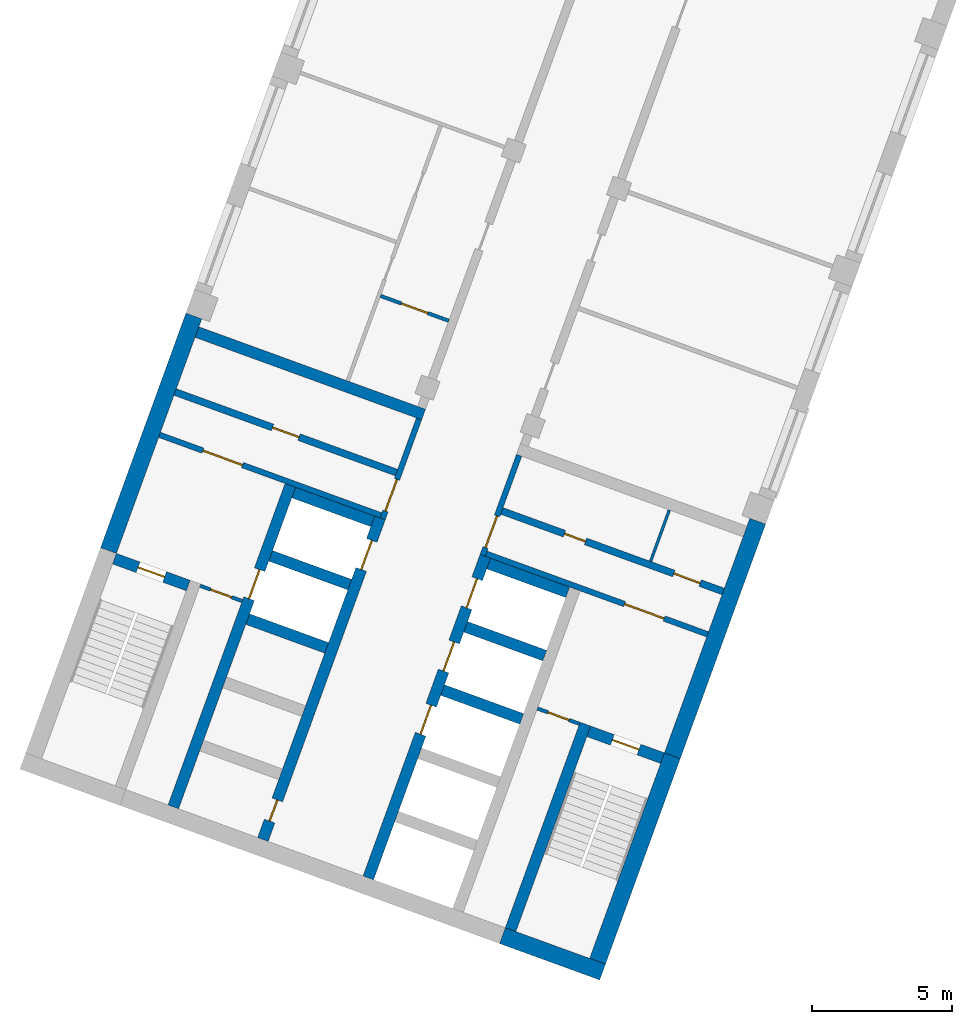
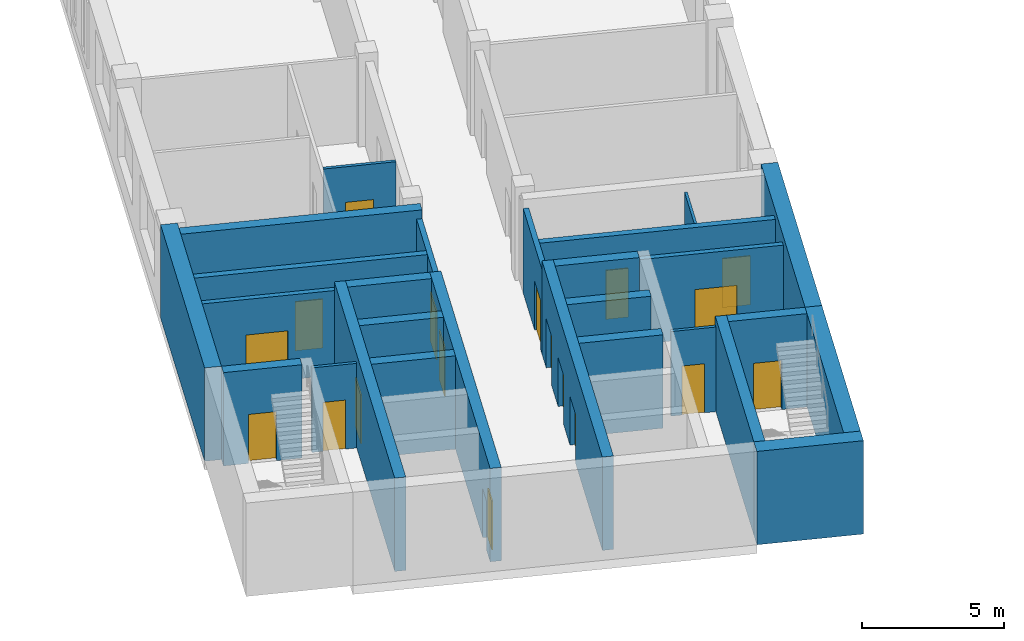
# One storey, part 2 of 12: 27 walls, 18 doors, 18 openings.
"""IFC4 building model written with IfcOpenShell, lengths in metres."""

from ifc_helpers import new_model, si_unit, direction, frame, frame_2d, origin, place, context, subcontext, project, spatial, rectangle, extrude, material, layer, layer_set, type_object, element, fill, save


model = new_model("IFC4")

# Units and contexts
model_context = context("Model", 3, precision=1e-05, world=origin(), true_north=direction((0.0, 1.0)))
body_context = subcontext(model_context, "Body", "Model", "MODEL_VIEW")
ifc_project = project(units=[si_unit("LENGTHUNIT", "METRE"), si_unit("AREAUNIT", "SQUARE_METRE"), si_unit("VOLUMEUNIT", "CUBIC_METRE"), si_unit("PLANEANGLEUNIT", "RADIAN"), si_unit("MASSUNIT", "GRAM", prefix="KILO")], contexts=[model_context])

# Site, building, storey
site_placement = place(None, origin())
site = spatial("IfcSite", under=ifc_project, at=site_placement, CompositionType="ELEMENT")
building_placement = place(site_placement, origin())
building = spatial("IfcBuilding", under=site, at=building_placement, Name="Skarvind Civic Tower", CompositionType="ELEMENT")
storey_placement = place(building_placement, frame((0.0, 0.0, 59.5)))
storey = spatial("IfcBuildingStorey", under=building, at=storey_placement, Name="L13", CompositionType="ELEMENT", Elevation=59.5)

# Wall, opening, door
ifc_material_1 = material(Name="Fire-rated masonry partition", Category="masonry")
ifc_layer_1 = layer(ifc_material_1, 0.199951171875)
ifc_layer_set_1 = layer_set([ifc_layer_1], Name="Core enclosure wall 200")
wall_type_1 = type_object("IfcWallType", Name="Core enclosure wall 200", PredefinedType="PARTITIONING", material=ifc_layer_set_1)
wall_1_placement = place(storey_placement, frame((31.491455078125, 93.693359375, 0.0), z_axis=(0.0, 0.0, 1.0), x_axis=(0.341995824804, 0.939701471648, 0.0)))
wall_1 = element("IfcWall", 1, at=wall_1_placement, inside=storey, type_object=wall_type_1, Name="Core wall C2", PredefinedType="PARTITIONING", context=body_context, shape_type="SweptSolid", body=[
    extrude(rectangle(XDim=3.800048828125, YDim=0.199951171875, at=frame_2d((1.89990234375, 0.0))), origin(), (0.0, 0.0, 1.0), 3.625),
])
opening_1_placement = place(wall_1_placement, frame((0.300048828125, 0.0, 0.0)))
opening_1 = element("IfcOpeningElement", 2, at=opening_1_placement, cuts=wall_1, Name="Opening D-L13-C2-06", PredefinedType="OPENING", context=body_context, shape_type="SweptSolid", body=[
    extrude(rectangle(XDim=1.199951171875, YDim=2.10009765625, at=frame_2d((0.60009765625, 1.050048828125))), frame((0.0, 0.10986328125, 0.0), z_axis=(0.0, -1.0, 0.0), x_axis=(1.0, 0.0, 0.0)), (0.0, 0.0, 1.0), 0.219970703125),
])
ifc_material_2 = material(Name="Fire-rated steel door", Category="steel")
door_type_1 = type_object("IfcDoorType", Name="Core lobby door 1200", OperationType="NOTDEFINED", PredefinedType="DOOR", material=ifc_material_2)
door_1_placement = place(opening_1_placement, origin())
door_1 = element("IfcDoor", 3, at=door_1_placement, inside=storey, type_object=door_type_1, Name="Fire door", OperationType="DOUBLE_DOOR_SINGLE_SWING", OverallHeight=2.10009765625, OverallWidth=1.199951171875, PredefinedType="DOOR", context=body_context, shape_type="SweptSolid", body=[
    extrude(rectangle(XDim=1.199951171875, YDim=2.10009765625, at=frame_2d((0.60009765625, 1.050048828125))), frame((0.0, 0.02490234375, 0.0), z_axis=(0.0, -1.0, 0.0), x_axis=(1.0, 0.0, 0.0)), (0.0, 0.0, 1.0), 0.050048828125),
])
fill(opening_1, door_1)

wall_2_placement = place(storey_placement, frame((23.5380859375, 96.6943359375, 0.0), z_axis=(0.0, 0.0, 1.0), x_axis=(0.939691552312, -0.342023078919, 0.0)))
wall_2 = element("IfcWall", 4, at=wall_2_placement, inside=storey, type_object=wall_type_1, Name="Core wall C2", PredefinedType="PARTITIONING", context=body_context, shape_type="SweptSolid", body=[
    extrude(rectangle(XDim=8.400146484375, YDim=0.199951171875, at=frame_2d((4.2001953125, 0.0))), origin(), (0.0, 0.0, 1.0), 3.625),
])
opening_2_placement = place(wall_2_placement, frame((1.64990234375, 0.0, 0.0)))
opening_2 = element("IfcOpeningElement", 5, at=opening_2_placement, cuts=wall_2, Name="Opening D-L13-C2-07", PredefinedType="OPENING", context=body_context, shape_type="SweptSolid", body=[
    extrude(rectangle(XDim=1.5, YDim=2.10009765625, at=frame_2d((0.75, 1.050048828125))), frame((0.0, 0.10986328125, 0.0), z_axis=(0.0, -1.0, 0.0), x_axis=(1.0, 0.0, 0.0)), (0.0, 0.0, 1.0), 0.219970703125),
])
door_type_2 = type_object("IfcDoorType", Name="Fire door 1500", OperationType="NOTDEFINED", PredefinedType="DOOR", material=ifc_material_2)
door_2_placement = place(opening_2_placement, origin())
door_2 = element("IfcDoor", 6, at=door_2_placement, inside=storey, type_object=door_type_2, Name="Fire door", OperationType="DOUBLE_DOOR_SINGLE_SWING", OverallHeight=2.10009765625, OverallWidth=1.5, PredefinedType="DOOR", context=body_context, shape_type="SweptSolid", body=[
    extrude(rectangle(XDim=1.5, YDim=2.10009765625, at=frame_2d((0.75, 1.050048828125))), frame((0.0, 0.02490234375, 0.0), z_axis=(0.0, -1.0, 0.0), x_axis=(1.0, 0.0, 0.0)), (0.0, 0.0, 1.0), 0.050048828125),
])
fill(opening_2, door_2)

wall_3_placement = place(storey_placement, frame((36.36181640625, 95.96435546875, 0.0), z_axis=(0.0, 0.0, 1.0), x_axis=(-0.341995824804, -0.939701471648, 0.0)))
wall_3 = element("IfcWall", 7, at=wall_3_placement, inside=storey, type_object=wall_type_1, Name="Core wall C2", PredefinedType="PARTITIONING", context=body_context, shape_type="SweptSolid", body=[
    extrude(rectangle(XDim=3.800048828125, YDim=0.199951171875, at=frame_2d((1.89990234375, 0.0))), origin(), (0.0, 0.0, 1.0), 3.625),
])
opening_3_placement = place(wall_3_placement, frame((2.300048828125, 0.0, 0.0)))
opening_3 = element("IfcOpeningElement", 8, at=opening_3_placement, cuts=wall_3, Name="Opening D-L13-C2-11", PredefinedType="OPENING", context=body_context, shape_type="SweptSolid", body=[
    extrude(rectangle(XDim=1.199951171875, YDim=2.10009765625, at=frame_2d((0.60009765625, 1.050048828125))), frame((0.0, 0.10986328125, 0.0), z_axis=(0.0, -1.0, 0.0), x_axis=(1.0, 0.0, 0.0)), (0.0, 0.0, 1.0), 0.219970703125),
])
door_3_placement = place(opening_3_placement, origin())
door_3 = element("IfcDoor", 9, at=door_3_placement, inside=storey, type_object=door_type_1, Name="Fire door", OperationType="DOUBLE_DOOR_SINGLE_SWING", OverallHeight=2.10009765625, OverallWidth=1.199951171875, PredefinedType="DOOR", context=body_context, shape_type="SweptSolid", body=[
    extrude(rectangle(XDim=1.199951171875, YDim=2.10009765625, at=frame_2d((0.60009765625, 1.050048828125))), frame((0.0, 0.02490234375, 0.0), z_axis=(0.0, -1.0, 0.0), x_axis=(1.0, 0.0, 0.0)), (0.0, 0.0, 1.0), 0.050048828125),
])
fill(opening_3, door_3)

wall_4_placement = place(storey_placement, frame((35.1904296875, 92.453369140625, 0.0), z_axis=(0.0, 0.0, 1.0), x_axis=(0.939691552312, -0.342023078919, 0.0)))
wall_4 = element("IfcWall", 10, at=wall_4_placement, inside=storey, type_object=wall_type_1, Name="Core wall C2", PredefinedType="PARTITIONING", context=body_context, shape_type="SweptSolid", body=[
    extrude(rectangle(XDim=8.400146484375, YDim=0.199951171875, at=frame_2d((4.2001953125, 0.0))), origin(), (0.0, 0.0, 1.0), 3.625),
])
opening_4_placement = place(wall_4_placement, frame((5.25, 0.0, 0.0)))
opening_4 = element("IfcOpeningElement", 11, at=opening_4_placement, cuts=wall_4, Name="Opening D-L13-C2-12", PredefinedType="OPENING", context=body_context, shape_type="SweptSolid", body=[
    extrude(rectangle(XDim=1.5, YDim=2.10009765625, at=frame_2d((0.75, 1.050048828125))), frame((0.0, 0.10986328125, 0.0), z_axis=(0.0, -1.0, 0.0), x_axis=(1.0, 0.0, 0.0)), (0.0, 0.0, 1.0), 0.219970703125),
])
door_4_placement = place(opening_4_placement, origin())
door_4 = element("IfcDoor", 12, at=door_4_placement, inside=storey, type_object=door_type_2, Name="Fire door", OperationType="DOUBLE_DOOR_SINGLE_SWING", OverallHeight=2.10009765625, OverallWidth=1.5, PredefinedType="DOOR", context=body_context, shape_type="SweptSolid", body=[
    extrude(rectangle(XDim=1.5, YDim=2.10009765625, at=frame_2d((0.75, 1.050048828125))), frame((0.0, 0.02490234375, 0.0), z_axis=(0.0, -1.0, 0.0), x_axis=(1.0, 0.0, 0.0)), (0.0, 0.0, 1.0), 0.050048828125),
])
fill(opening_4, door_4)

# Walls
ifc_material_3 = material(Name="Fire-rated plasterboard partition")
ifc_layer_2 = layer(ifc_material_3, 0.10009765625)
ifc_layer_set_2 = layer_set([ifc_layer_2], Name="Core partition wall 100")
wall_type_2 = type_object("IfcWallType", Name="Core partition wall 100", PredefinedType="PARTITIONING", material=ifc_layer_set_2)
wall_5_placement = place(storey_placement, frame((41.71826171875, 94.014892578125, 0.0), z_axis=(0.0, 0.0, 1.0), x_axis=(-0.342064742067, -0.939676386973, 0.0)))
element("IfcWall", 13, at=wall_5_placement, inside=storey, type_object=wall_type_2, Name="Core wall C2", PredefinedType="PARTITIONING", context=body_context, shape_type="SweptSolid", body=[
    extrude(rectangle(XDim=1.949951171875, YDim=0.10009765625, at=frame_2d((0.97509765625, 0.0))), origin(), (0.0, 0.0, 1.0), 3.625),
])
ifc_material_4 = material(Name="Concrete C80", Category="concrete")
ifc_layer_3 = layer(ifc_material_4, 0.39990234375)
ifc_layer_set_3 = layer_set([ifc_layer_3], Name="Core wall 400 C80")
wall_type_3 = type_object("IfcWallType", Name="Core wall 400 C80", PredefinedType="SHEAR", material=ifc_layer_set_3)
wall_6_placement = place(storey_placement, frame((36.057861328125, 79.04833984375, 0.0), z_axis=(0.0, 0.0, 1.0), x_axis=(0.342016982193, 0.939693771338, 0.0)))
element("IfcWall", 14, at=wall_6_placement, inside=storey, type_object=wall_type_3, Name="Core wall C2 south stair inner L13", PredefinedType="SHEAR", context=body_context, shape_type="SweptSolid", body=[
    extrude(rectangle(XDim=7.800048828125, YDim=0.39990234375, at=frame_2d((3.89990234375, 0.0))), origin(), (0.0, 0.0, 1.0), 4.0),
])

# Wall, opening, door
wall_7_placement = place(storey_placement, frame((41.476318359375, 85.163818359375, 0.0), z_axis=(0.0, 0.0, 1.0), x_axis=(-0.939678810556, 0.342058084236, 0.0)))
wall_7 = element("IfcWall", 15, at=wall_7_placement, inside=storey, type_object=wall_type_3, Name="Core wall C2 south stair end L13", PredefinedType="SHEAR", context=body_context, shape_type="SweptSolid", body=[
    extrude(rectangle(XDim=2.800048828125, YDim=0.39990234375, at=frame_2d((1.39990234375, 0.0))), origin(), (0.0, 0.0, 1.0), 4.0),
])
opening_5_placement = place(wall_7_placement, frame((0.89990234375, 0.0, 0.0)))
opening_5 = element("IfcOpeningElement", 16, at=opening_5_placement, cuts=wall_7, Name="Opening D-L13-C2-13", PredefinedType="OPENING", context=body_context, shape_type="SweptSolid", body=[
    extrude(rectangle(XDim=1.0, YDim=2.10009765625, at=frame_2d((0.5, 1.050048828125))), frame((0.0, 0.2099609375, 0.0), z_axis=(0.0, -1.0, 0.0), x_axis=(1.0, 0.0, 0.0)), (0.0, 0.0, 1.0), 0.419921875),
])
door_type_3 = type_object("IfcDoorType", Name="Fire door 1000", OperationType="NOTDEFINED", PredefinedType="DOOR", material=ifc_material_2)
door_5_placement = place(opening_5_placement, origin())
door_5 = element("IfcDoor", 17, at=door_5_placement, inside=storey, type_object=door_type_3, Name="Fire door", OperationType="SINGLE_SWING_RIGHT", OverallHeight=2.10009765625, OverallWidth=1.0, PredefinedType="DOOR", context=body_context, shape_type="SweptSolid", body=[
    extrude(rectangle(XDim=1.0, YDim=2.10009765625, at=frame_2d((0.5, 1.050048828125))), frame((0.0, 0.02490234375, 0.0), z_axis=(0.0, -1.0, 0.0), x_axis=(1.0, 0.0, 0.0)), (0.0, 0.0, 1.0), 0.050048828125),
])
fill(opening_5, door_5)

wall_8_placement = place(storey_placement, frame((24.56201171875, 91.3203125, 0.0), z_axis=(0.0, 0.0, 1.0), x_axis=(-0.939717030584, 0.341953070509, 0.0)))
wall_8 = element("IfcWall", 18, at=wall_8_placement, inside=storey, type_object=wall_type_3, Name="Core wall C2 north stair end L13", PredefinedType="SHEAR", context=body_context, shape_type="SweptSolid", body=[
    extrude(rectangle(XDim=2.800048828125, YDim=0.39990234375, at=frame_2d((1.39990234375, 0.0))), origin(), (0.0, 0.0, 1.0), 4.0),
])
opening_6_placement = place(wall_8_placement, frame((0.89990234375, 0.0, 0.0)))
opening_6 = element("IfcOpeningElement", 19, at=opening_6_placement, cuts=wall_8, Name="Opening D-L13-C2-08", PredefinedType="OPENING", context=body_context, shape_type="SweptSolid", body=[
    extrude(rectangle(XDim=1.0, YDim=2.10009765625, at=frame_2d((0.5, 1.050048828125))), frame((0.0, 0.2099609375, 0.0), z_axis=(0.0, -1.0, 0.0), x_axis=(1.0, 0.0, 0.0)), (0.0, 0.0, 1.0), 0.419921875),
])
door_6_placement = place(opening_6_placement, origin())
door_6 = element("IfcDoor", 20, at=door_6_placement, inside=storey, type_object=door_type_3, Name="Fire door", OperationType="SINGLE_SWING_LEFT", OverallHeight=2.10009765625, OverallWidth=1.0, PredefinedType="DOOR", context=body_context, shape_type="SweptSolid", body=[
    extrude(rectangle(XDim=1.0, YDim=2.10009765625, at=frame_2d((0.5, 1.050048828125))), frame((0.0, 0.02490234375, 0.0), z_axis=(0.0, -1.0, 0.0), x_axis=(1.0, 0.0, 0.0)), (0.0, 0.0, 1.0), 0.050048828125),
])
fill(opening_6, door_6)

# Wall, openings, doors
wall_9_placement = place(storey_placement, frame((30.983642578125, 80.895263671875, 0.0), z_axis=(0.0, 0.0, 1.0), x_axis=(0.342021021735, 0.939692301071, 0.0)))
wall_9 = element("IfcWall", 21, at=wall_9_placement, inside=storey, type_object=wall_type_3, Name="Core wall C2 south lift row front L13", PredefinedType="SHEAR", context=body_context, shape_type="SweptSolid", body=[
    extrude(rectangle(XDim=12.199951171875, YDim=0.39990234375, at=frame_2d((6.10009765625, 0.0))), origin(), (0.0, 0.0, 1.0), 4.0),
])
opening_7_placement = place(wall_9_placement, frame((5.449951171875, 0.0, 0.0)))
opening_7 = element("IfcOpeningElement", 22, at=opening_7_placement, cuts=wall_9, Name="Opening LD15208", PredefinedType="OPENING", context=body_context, shape_type="SweptSolid", body=[
    extrude(rectangle(XDim=1.10009765625, YDim=2.10009765625, at=frame_2d((0.550048828125, 1.050048828125))), frame((0.0, 0.2099609375, 0.0), z_axis=(0.0, -1.0, 0.0), x_axis=(1.0, 0.0, 0.0)), (0.0, 0.0, 1.0), 0.419921875),
])
opening_8_placement = place(wall_9_placement, frame((7.85009765625, 0.0, 0.0)))
opening_8 = element("IfcOpeningElement", 23, at=opening_8_placement, cuts=wall_9, Name="Opening LD15209", PredefinedType="OPENING", context=body_context, shape_type="SweptSolid", body=[
    extrude(rectangle(XDim=1.10009765625, YDim=2.10009765625, at=frame_2d((0.550048828125, 1.050048828125))), frame((0.0, 0.2099609375, 0.0), z_axis=(0.0, -1.0, 0.0), x_axis=(1.0, 0.0, 0.0)), (0.0, 0.0, 1.0), 0.419921875),
])
opening_9_placement = place(wall_9_placement, frame((10.25, 0.0, 0.0)))
opening_9 = element("IfcOpeningElement", 24, at=opening_9_placement, cuts=wall_9, Name="Opening LD15210", PredefinedType="OPENING", context=body_context, shape_type="SweptSolid", body=[
    extrude(rectangle(XDim=1.10009765625, YDim=2.10009765625, at=frame_2d((0.550048828125, 1.050048828125))), frame((0.0, 0.2099609375, 0.0), z_axis=(0.0, -1.0, 0.0), x_axis=(1.0, 0.0, 0.0)), (0.0, 0.0, 1.0), 0.419921875),
])
ifc_material_5 = material(Name="Stainless steel landing door", Category="steel")
door_type_4 = type_object("IfcDoorType", Name="Lift landing door 1100", OperationType="DOUBLE_DOOR_SLIDING", PredefinedType="DOOR", material=ifc_material_5)
door_7_placement = place(opening_7_placement, origin())
door_7 = element("IfcDoor", 25, at=door_7_placement, inside=storey, type_object=door_type_4, Name="Lift landing door", OperationType="DOUBLE_DOOR_SLIDING", OverallHeight=2.10009765625, OverallWidth=1.10009765625, PredefinedType="DOOR", context=body_context, shape_type="SweptSolid", body=[
    extrude(rectangle(XDim=1.10009765625, YDim=2.10009765625, at=frame_2d((0.550048828125, 1.050048828125))), frame((0.0, 0.02490234375, 0.0), z_axis=(0.0, -1.0, 0.0), x_axis=(1.0, 0.0, 0.0)), (0.0, 0.0, 1.0), 0.050048828125),
])
fill(opening_7, door_7)
door_8_placement = place(opening_8_placement, origin())
door_8 = element("IfcDoor", 26, at=door_8_placement, inside=storey, type_object=door_type_4, Name="Lift landing door", OperationType="DOUBLE_DOOR_SLIDING", OverallHeight=2.10009765625, OverallWidth=1.10009765625, PredefinedType="DOOR", context=body_context, shape_type="SweptSolid", body=[
    extrude(rectangle(XDim=1.10009765625, YDim=2.10009765625, at=frame_2d((0.550048828125, 1.050048828125))), frame((0.0, 0.02490234375, 0.0), z_axis=(0.0, -1.0, 0.0), x_axis=(1.0, 0.0, 0.0)), (0.0, 0.0, 1.0), 0.050048828125),
])
fill(opening_8, door_8)
door_9_placement = place(opening_9_placement, origin())
door_9 = element("IfcDoor", 27, at=door_9_placement, inside=storey, type_object=door_type_4, Name="Lift landing door", OperationType="DOUBLE_DOOR_SLIDING", OverallHeight=2.10009765625, OverallWidth=1.10009765625, PredefinedType="DOOR", context=body_context, shape_type="SweptSolid", body=[
    extrude(rectangle(XDim=1.10009765625, YDim=2.10009765625, at=frame_2d((0.550048828125, 1.050048828125))), frame((0.0, 0.02490234375, 0.0), z_axis=(0.0, -1.0, 0.0), x_axis=(1.0, 0.0, 0.0)), (0.0, 0.0, 1.0), 0.050048828125),
])
fill(opening_9, door_9)

# Walls
for number, where, z_axis, x_axis, name in (
    (28, (36.453125, 86.56640625, 0.0), (0.0, 0.0, 1.0), (-0.939686455819, 0.342037080957, 0.0), "Core wall C2 south lift row division 3 L13"),
    (29, (37.27392578125, 88.82177734375, 0.0), (0.0, 0.0, 1.0), (-0.939686455819, 0.342037080957, 0.0), "Core wall C2 south lift row division 4 L13"),
):
    element("IfcWall", number, at=place(storey_placement, frame(where, z_axis=z_axis, x_axis=x_axis)), inside=storey, type_object=wall_type_3, Name=name, PredefinedType="SHEAR", context=body_context, shape_type="SweptSolid", body=[
        extrude(rectangle(XDim=3.0, YDim=0.39990234375, at=frame_2d((1.5, 0.0))), origin(), (0.0, 0.0, 1.0), 4.0),
    ])
wall_10_placement = place(storey_placement, frame((38.0947265625, 91.076904296875, 0.0), z_axis=(0.0, 0.0, 1.0), x_axis=(-0.939676934218, 0.342063238742, 0.0)))
element("IfcWall", 30, at=wall_10_placement, inside=storey, type_object=wall_type_3, Name="Core wall C2 south lift row division 5 L13", PredefinedType="SHEAR", context=body_context, shape_type="SweptSolid", body=[
    extrude(rectangle(XDim=2.999755859375, YDim=0.39990234375, at=frame_2d((1.5, 0.0))), origin(), (0.0, 0.0, 1.0), 4.0),
])

# Wall, openings, doors
wall_11_placement = place(storey_placement, frame((27.224853515625, 82.26318359375, 0.0), z_axis=(0.0, 0.0, 1.0), x_axis=(0.342014590177, 0.939694641948, 0.0)))
wall_11 = element("IfcWall", 31, at=wall_11_placement, inside=storey, type_object=wall_type_3, Name="Core wall C2 north lift row front L13", PredefinedType="SHEAR", context=body_context, shape_type="SweptSolid", body=[
    extrude(rectangle(XDim=12.2001953125, YDim=0.39990234375, at=frame_2d((6.10009765625, 0.0))), origin(), (0.0, 0.0, 1.0), 4.0),
])
opening_10_placement = place(wall_11_placement, frame((10.25, 0.0, 0.0)))
opening_10 = element("IfcOpeningElement", 32, at=opening_10_placement, cuts=wall_11, Name="Opening LD15205", PredefinedType="OPENING", context=body_context, shape_type="SweptSolid", body=[
    extrude(rectangle(XDim=1.10009765625, YDim=2.10009765625, at=frame_2d((0.550048828125, 1.050048828125))), frame((0.0, 0.2099609375, 0.0), z_axis=(0.0, -1.0, 0.0), x_axis=(1.0, 0.0, 0.0)), (0.0, 0.0, 1.0), 0.419921875),
])
opening_11_placement = place(wall_11_placement, frame((0.699951171875, 0.0, 0.0)))
opening_11 = element("IfcOpeningElement", 33, at=opening_11_placement, cuts=wall_11, Name="Opening D-L13-C2-05", PredefinedType="OPENING", context=body_context, shape_type="SweptSolid", body=[
    extrude(rectangle(XDim=0.800048828125, YDim=2.10009765625, at=frame_2d((0.39990234375, 1.050048828125))), frame((0.0, 0.2099609375, 0.0), z_axis=(0.0, -1.0, 0.0), x_axis=(1.0, 0.0, 0.0)), (0.0, 0.0, 1.0), 0.419921875),
])
door_type_5 = type_object("IfcDoorType", Name="Core riser door 800", OperationType="NOTDEFINED", PredefinedType="DOOR", material=ifc_material_2)
door_10_placement = place(opening_11_placement, origin())
door_10 = element("IfcDoor", 34, at=door_10_placement, inside=storey, type_object=door_type_5, Name="Riser door", OperationType="SINGLE_SWING_LEFT", OverallHeight=2.10009765625, OverallWidth=0.800048828125, PredefinedType="DOOR", context=body_context, shape_type="SweptSolid", body=[
    extrude(rectangle(XDim=0.800048828125, YDim=2.10009765625, at=frame_2d((0.39990234375, 1.050048828125))), frame((0.0, 0.02490234375, 0.0), z_axis=(0.0, -1.0, 0.0), x_axis=(1.0, 0.0, 0.0)), (0.0, 0.0, 1.0), 0.050048828125),
])
fill(opening_11, door_10)
door_11_placement = place(opening_10_placement, origin())
door_11 = element("IfcDoor", 35, at=door_11_placement, inside=storey, type_object=door_type_4, Name="Lift landing door", OperationType="DOUBLE_DOOR_SLIDING", OverallHeight=2.10009765625, OverallWidth=1.10009765625, PredefinedType="DOOR", context=body_context, shape_type="SweptSolid", body=[
    extrude(rectangle(XDim=1.10009765625, YDim=2.10009765625, at=frame_2d((0.550048828125, 1.050048828125))), frame((0.0, 0.02490234375, 0.0), z_axis=(0.0, -1.0, 0.0), x_axis=(1.0, 0.0, 0.0)), (0.0, 0.0, 1.0), 0.050048828125),
])
fill(opening_10, door_11)

# Wall, opening, door
wall_12_placement = place(storey_placement, frame((24.02978515625, 83.426025390625, 0.0), z_axis=(0.0, 0.0, 1.0), x_axis=(0.342014590177, 0.939694641948, 0.0)))
wall_12 = element("IfcWall", 36, at=wall_12_placement, inside=storey, type_object=wall_type_3, Name="Core wall C2 north lift row back L13", PredefinedType="SHEAR", context=body_context, shape_type="SweptSolid", body=[
    extrude(rectangle(XDim=12.2001953125, YDim=0.39990234375, at=frame_2d((6.10009765625, 0.0))), origin(), (0.0, 0.0, 1.0), 4.0),
])
opening_12_placement = place(wall_12_placement, frame((7.89990234375, 0.0, 0.0)))
opening_12 = element("IfcOpeningElement", 37, at=opening_12_placement, cuts=wall_12, Name="Opening LD15204", PredefinedType="OPENING", context=body_context, shape_type="SweptSolid", body=[
    extrude(rectangle(XDim=1.10009765625, YDim=2.10009765625, at=frame_2d((0.550048828125, 1.050048828125))), frame((0.0, 0.2099609375, 0.0), z_axis=(0.0, -1.0, 0.0), x_axis=(1.0, 0.0, 0.0)), (0.0, 0.0, 1.0), 0.419921875),
])
door_12_placement = place(opening_12_placement, origin())
door_12 = element("IfcDoor", 38, at=door_12_placement, inside=storey, type_object=door_type_4, Name="Lift landing door", OperationType="DOUBLE_DOOR_SLIDING", OverallHeight=2.10009765625, OverallWidth=1.10009765625, PredefinedType="DOOR", context=body_context, shape_type="SweptSolid", body=[
    extrude(rectangle(XDim=1.10009765625, YDim=2.10009765625, at=frame_2d((0.550048828125, 1.050048828125))), frame((0.0, 0.02490234375, 0.0), z_axis=(0.0, -1.0, 0.0), x_axis=(1.0, 0.0, 0.0)), (0.0, 0.0, 1.0), 0.050048828125),
])
fill(opening_12, door_12)

# Walls
for number, where, z_axis, x_axis, name in (
    (39, (29.49951171875, 89.097412109375, 0.0), (0.0, 0.0, 1.0), (-0.939686455819, 0.342037080957, 0.0), "Core wall C2 north lift row division 3 L13"),
    (40, (30.3203125, 91.352783203125, 0.0), (0.0, 0.0, 1.0), (-0.939712609717, 0.341965219194, 0.0), "Core wall C2 north lift row division 4 L13"),
    (41, (31.14111328125, 93.60791015625, 0.0), (0.0, 0.0, 1.0), (-0.939686455819, 0.342037080957, 0.0), "Core wall C2 north lift row division 5 L13"),
):
    element("IfcWall", number, at=place(storey_placement, frame(where, z_axis=z_axis, x_axis=x_axis)), inside=storey, type_object=wall_type_3, Name=name, PredefinedType="SHEAR", context=body_context, shape_type="SweptSolid", body=[
        extrude(rectangle(XDim=3.0, YDim=0.39990234375, at=frame_2d((1.5, 0.0))), origin(), (0.0, 0.0, 1.0), 4.0),
    ])
wall_13_placement = place(storey_placement, frame((32.953369140625, 97.417724609375, 0.0), z_axis=(0.0, 0.0, 1.0), x_axis=(-0.93969060187, 0.342025690201, 0.0)))
element("IfcWall", 42, at=wall_13_placement, inside=storey, type_object=wall_type_3, Name="Core wall C2 north inner face L13", PredefinedType="SHEAR", context=body_context, shape_type="SweptSolid", body=[
    extrude(rectangle(XDim=8.599853515625, YDim=0.39990234375, at=frame_2d((4.2998046875, 0.0))), origin(), (0.0, 0.0, 1.0), 4.0),
])
ifc_layer_4 = layer(ifc_material_4, 0.60009765625)
ifc_layer_set_4 = layer_set([ifc_layer_4], Name="Core wall 600 C80")
wall_type_4 = type_object("IfcWallType", Name="Core wall 600 C80", PredefinedType="SHEAR", material=ifc_layer_set_4)
wall_14_placement = place(storey_placement, frame((39.338134765625, 77.53515625, 0.0), z_axis=(0.0, 0.0, 1.0), x_axis=(-0.939701471648, 0.341995824804, 0.0)))
element("IfcWall", 43, at=wall_14_placement, inside=storey, type_object=wall_type_4, Name="Core wall C2 tip at the south stair L13", PredefinedType="SHEAR", context=body_context, shape_type="SweptSolid", body=[
    extrude(rectangle(XDim=3.800048828125, YDim=0.60009765625, at=frame_2d((1.89990234375, 0.0))), origin(), (0.0, 0.0, 1.0), 4.0),
])
wall_15_placement = place(storey_placement, frame((39.158935546875, 77.919677734375, 0.0), z_axis=(0.0, 0.0, 1.0), x_axis=(0.342016982193, 0.939693771338, 0.0)))
element("IfcWall", 44, at=wall_15_placement, inside=storey, type_object=wall_type_4, Name="Core wall C2 south side at the stair L13", PredefinedType="SHEAR", context=body_context, shape_type="SweptSolid", body=[
    extrude(rectangle(XDim=7.800048828125, YDim=0.60009765625, at=frame_2d((3.89990234375, 0.0))), origin(), (0.0, 0.0, 1.0), 4.0),
])
for number, where, z_axis, x_axis, name in (
    (45, (41.82666015625, 85.249267578125, 0.0), (0.0, 0.0, 1.0), (0.342016162452, 0.939694069696, 0.0), "Core wall C2 south side L13"),
    (46, (21.71728515625, 92.568359375, 0.0), (0.0, 0.0, 1.0), (0.342016162452, 0.939694069696, 0.0), "Core wall C2 north side L13"),
):
    element("IfcWall", number, at=place(storey_placement, frame(where, z_axis=z_axis, x_axis=x_axis)), inside=storey, type_object=wall_type_4, Name=name, PredefinedType="SHEAR", context=body_context, shape_type="SweptSolid", body=[
        extrude(rectangle(XDim=8.89990234375, YDim=0.60009765625, at=frame_2d((4.449951171875, 0.0))), origin(), (0.0, 0.0, 1.0), 4.0),
    ])

# Wall, opening, door
ifc_layer_5 = layer(ifc_material_1, 0.125)
ifc_layer_set_5 = layer_set([ifc_layer_5], Name="Riser wall 125")
wall_type_5 = type_object("IfcWallType", Name="Riser wall 125", PredefinedType="PARTITIONING", material=ifc_layer_set_5)
wall_16_placement = place(storey_placement, frame((24.98486328125, 91.3125, 0.0), z_axis=(0.0, 0.0, 1.0), x_axis=(0.939708740826, -0.341975850632, 0.0)))
wall_16 = element("IfcWall", 47, at=wall_16_placement, inside=storey, type_object=wall_type_5, Name="Core wall C2", PredefinedType="PARTITIONING", context=body_context, shape_type="SweptSolid", body=[
    extrude(rectangle(XDim=1.599853515625, YDim=0.125, at=frame_2d((0.7998046875, 0.0))), origin(), (0.0, 0.0, 1.0), 3.625),
])
opening_13_placement = place(wall_16_placement, frame((0.39990234375, 0.0, 0.0)))
opening_13 = element("IfcOpeningElement", 48, at=opening_13_placement, cuts=wall_16, Name="Opening D-L13-C2-09", PredefinedType="OPENING", context=body_context, shape_type="SweptSolid", body=[
    extrude(rectangle(XDim=0.800048828125, YDim=2.10009765625, at=frame_2d((0.39990234375, 1.050048828125))), frame((0.0, 0.072509765625, 0.0), z_axis=(0.0, -1.0, 0.0), x_axis=(1.0, 0.0, 0.0)), (0.0, 0.0, 1.0), 0.14501953125),
])
door_13_placement = place(opening_13_placement, origin())
door_13 = element("IfcDoor", 49, at=door_13_placement, inside=storey, type_object=door_type_5, Name="Riser door", OperationType="SINGLE_SWING_RIGHT", OverallHeight=2.10009765625, OverallWidth=0.800048828125, PredefinedType="DOOR", context=body_context, shape_type="SweptSolid", body=[
    extrude(rectangle(XDim=0.800048828125, YDim=2.10009765625, at=frame_2d((0.39990234375, 1.050048828125))), frame((0.0, 0.02490234375, 0.0), z_axis=(0.0, -1.0, 0.0), x_axis=(1.0, 0.0, 0.0)), (0.0, 0.0, 1.0), 0.050048828125),
])
fill(opening_13, door_13)

wall_17_placement = place(storey_placement, frame((37.012939453125, 86.934814453125, 0.0), z_axis=(0.0, 0.0, 1.0), x_axis=(0.939659694648, -0.342110593602, 0.0)))
wall_17 = element("IfcWall", 50, at=wall_17_placement, inside=storey, type_object=wall_type_5, Name="Core wall C2", PredefinedType="PARTITIONING", context=body_context, shape_type="SweptSolid", body=[
    extrude(rectangle(XDim=1.599853515625, YDim=0.125, at=frame_2d((0.7998046875, 0.0))), origin(), (0.0, 0.0, 1.0), 3.625),
])
opening_14_placement = place(wall_17_placement, frame((0.39990234375, 0.0, 0.0)))
opening_14 = element("IfcOpeningElement", 51, at=opening_14_placement, cuts=wall_17, Name="Opening D-L13-C2-14", PredefinedType="OPENING", context=body_context, shape_type="SweptSolid", body=[
    extrude(rectangle(XDim=0.800048828125, YDim=2.10009765625, at=frame_2d((0.39990234375, 1.050048828125))), frame((0.0, 0.072509765625, 0.0), z_axis=(0.0, -1.0, 0.0), x_axis=(1.0, 0.0, 0.0)), (0.0, 0.0, 1.0), 0.14501953125),
])
door_14_placement = place(opening_14_placement, origin())
door_14 = element("IfcDoor", 52, at=door_14_placement, inside=storey, type_object=door_type_5, Name="Riser door", OperationType="SINGLE_SWING_LEFT", OverallHeight=2.10009765625, OverallWidth=0.800048828125, PredefinedType="DOOR", context=body_context, shape_type="SweptSolid", body=[
    extrude(rectangle(XDim=0.800048828125, YDim=2.10009765625, at=frame_2d((0.39990234375, 1.050048828125))), frame((0.0, 0.02490234375, 0.0), z_axis=(0.0, -1.0, 0.0), x_axis=(1.0, 0.0, 0.0)), (0.0, 0.0, 1.0), 0.050048828125),
])
fill(opening_14, door_14)

ifc_layer_6 = layer(ifc_material_1, 0.25)
ifc_layer_set_6 = layer_set([ifc_layer_6], Name="Service block wall 250")
wall_type_6 = type_object("IfcWallType", Name="Service block wall 250", PredefinedType="PARTITIONING", material=ifc_layer_set_6)
wall_18_placement = place(storey_placement, frame((24.093994140625, 98.221435546875, 0.0), z_axis=(0.0, 0.0, 1.0), x_axis=(0.939691552312, -0.342023078919, 0.0)))
wall_18 = element("IfcWall", 53, at=wall_18_placement, inside=storey, type_object=wall_type_6, Name="Core wall C2", PredefinedType="PARTITIONING", context=body_context, shape_type="SweptSolid", body=[
    extrude(rectangle(XDim=8.400146484375, YDim=0.25, at=frame_2d((4.2001953125, 0.0))), origin(), (0.0, 0.0, 1.0), 3.625),
])
opening_15_placement = place(wall_18_placement, frame((3.699951171875, 0.0, 0.0)))
opening_15 = element("IfcOpeningElement", 54, at=opening_15_placement, cuts=wall_18, Name="Opening D-L13-C2-10", PredefinedType="OPENING", context=body_context, shape_type="SweptSolid", body=[
    extrude(rectangle(XDim=1.0, YDim=2.10009765625, at=frame_2d((0.5, 1.050048828125))), frame((0.0, 0.135009765625, 0.0), z_axis=(0.0, -1.0, 0.0), x_axis=(1.0, 0.0, 0.0)), (0.0, 0.0, 1.0), 0.27001953125),
])
door_15_placement = place(opening_15_placement, origin())
door_15 = element("IfcDoor", 55, at=door_15_placement, inside=storey, type_object=door_type_3, Name="Fire door", OperationType="SINGLE_SWING_LEFT", OverallHeight=2.10009765625, OverallWidth=1.0, PredefinedType="DOOR", context=body_context, shape_type="SweptSolid", body=[
    extrude(rectangle(XDim=1.0, YDim=2.10009765625, at=frame_2d((0.5, 1.050048828125))), frame((0.0, 0.02490234375, 0.0), z_axis=(0.0, -1.0, 0.0), x_axis=(1.0, 0.0, 0.0)), (0.0, 0.0, 1.0), 0.050048828125),
])
fill(opening_15, door_15)

# Wall, openings, doors
wall_19_placement = place(storey_placement, frame((35.74609375, 93.98046875, 0.0), z_axis=(0.0, 0.0, 1.0), x_axis=(0.939691552312, -0.342023078919, 0.0)))
wall_19 = element("IfcWall", 56, at=wall_19_placement, inside=storey, type_object=wall_type_6, Name="Core wall C2", PredefinedType="PARTITIONING", context=body_context, shape_type="SweptSolid", body=[
    extrude(rectangle(XDim=8.400146484375, YDim=0.25, at=frame_2d((4.2001953125, 0.0))), origin(), (0.0, 0.0, 1.0), 3.625),
])
opening_16_placement = place(wall_19_placement, frame((2.375, 0.0, 0.0)))
opening_16 = element("IfcOpeningElement", 57, at=opening_16_placement, cuts=wall_19, Name="Opening D-L13-C2-15", PredefinedType="OPENING", context=body_context, shape_type="SweptSolid", body=[
    extrude(rectangle(XDim=0.800048828125, YDim=2.10009765625, at=frame_2d((0.39990234375, 1.050048828125))), frame((0.0, 0.135009765625, 0.0), z_axis=(0.0, -1.0, 0.0), x_axis=(1.0, 0.0, 0.0)), (0.0, 0.0, 1.0), 0.27001953125),
])
opening_17_placement = place(wall_19_placement, frame((6.52490234375, 0.0, 0.0)))
opening_17 = element("IfcOpeningElement", 58, at=opening_17_placement, cuts=wall_19, Name="Opening D-L13-C2-16", PredefinedType="OPENING", context=body_context, shape_type="SweptSolid", body=[
    extrude(rectangle(XDim=1.0, YDim=2.10009765625, at=frame_2d((0.5, 1.050048828125))), frame((0.0, 0.135009765625, 0.0), z_axis=(0.0, -1.0, 0.0), x_axis=(1.0, 0.0, 0.0)), (0.0, 0.0, 1.0), 0.27001953125),
])
door_16_placement = place(opening_16_placement, origin())
door_16 = element("IfcDoor", 59, at=door_16_placement, inside=storey, type_object=door_type_5, Name="Riser door", OperationType="SINGLE_SWING_RIGHT", OverallHeight=2.10009765625, OverallWidth=0.800048828125, PredefinedType="DOOR", context=body_context, shape_type="SweptSolid", body=[
    extrude(rectangle(XDim=0.800048828125, YDim=2.10009765625, at=frame_2d((0.39990234375, 1.050048828125))), frame((0.0, 0.02490234375, 0.0), z_axis=(0.0, -1.0, 0.0), x_axis=(1.0, 0.0, 0.0)), (0.0, 0.0, 1.0), 0.050048828125),
])
fill(opening_16, door_16)
door_17_placement = place(opening_17_placement, origin())
door_17 = element("IfcDoor", 60, at=door_17_placement, inside=storey, type_object=door_type_3, Name="Fire door", OperationType="SINGLE_SWING_LEFT", OverallHeight=2.10009765625, OverallWidth=1.0, PredefinedType="DOOR", context=body_context, shape_type="SweptSolid", body=[
    extrude(rectangle(XDim=1.0, YDim=2.10009765625, at=frame_2d((0.5, 1.050048828125))), frame((0.0, 0.02490234375, 0.0), z_axis=(0.0, -1.0, 0.0), x_axis=(1.0, 0.0, 0.0)), (0.0, 0.0, 1.0), 0.050048828125),
])
fill(opening_17, door_17)

# Wall, opening, door
ifc_material_6 = material(Name="Moisture-resistant gypsum board on steel studs", Category="steel")
ifc_layer_7 = layer(ifc_material_6, 0.125)
ifc_layer_set_7 = layer_set([ifc_layer_7], Name="WC PARTITION 125")
wall_type_7 = type_object("IfcWallType", Name="WC PARTITION 125", PredefinedType="PARTITIONING", material=ifc_layer_set_7)
wall_20_placement = place(storey_placement, frame((33.85205078125, 100.761962890625, 0.0), z_axis=(0.0, 0.0, 1.0), x_axis=(-0.93959774877, 0.342280689649, 0.0)))
wall_20 = element("IfcWall", 61, at=wall_20_placement, inside=storey, type_object=wall_type_7, Name="Partition 13.004", PredefinedType="PARTITIONING", context=body_context, shape_type="SweptSolid", body=[
    extrude(rectangle(XDim=2.58837890625, YDim=0.125, at=frame_2d((1.294189453125, 0.0))), origin(), (0.0, 0.0, 1.0), 3.625),
])
opening_18_placement = place(wall_20_placement, frame((0.7939453125, 0.0, 0.0)))
opening_18 = element("IfcOpeningElement", 62, at=opening_18_placement, cuts=wall_20, Name="Opening L13-D015", PredefinedType="OPENING", context=body_context, shape_type="SweptSolid", body=[
    extrude(rectangle(XDim=1.0, YDim=2.10009765625, at=frame_2d((0.5, 1.050048828125))), frame((0.0, 0.072509765625, 0.0), z_axis=(0.0, -1.0, 0.0), x_axis=(1.0, 0.0, 0.0)), (0.0, 0.0, 1.0), 0.14501953125),
])
ifc_material_7 = material(Name="Timber door leaf", Category="wood")
door_type_6 = type_object("IfcDoorType", Name="D1 1000x2100", OperationType="NOTDEFINED", PredefinedType="DOOR", material=ifc_material_7)
door_18_placement = place(opening_18_placement, origin())
door_18 = element("IfcDoor", 63, at=door_18_placement, inside=storey, type_object=door_type_6, Name="Door L13-D015", OperationType="SINGLE_SWING_RIGHT", OverallHeight=2.10009765625, OverallWidth=1.0, PredefinedType="DOOR", context=body_context, shape_type="SweptSolid", body=[
    extrude(rectangle(XDim=1.0, YDim=2.10009765625, at=frame_2d((0.5, 1.050048828125))), frame((0.0, 0.02490234375, 0.0), z_axis=(0.0, -1.0, 0.0), x_axis=(1.0, 0.0, 0.0)), (0.0, 0.0, 1.0), 0.050048828125),
])
fill(opening_18, door_18)

save(model, "model.ifc")
